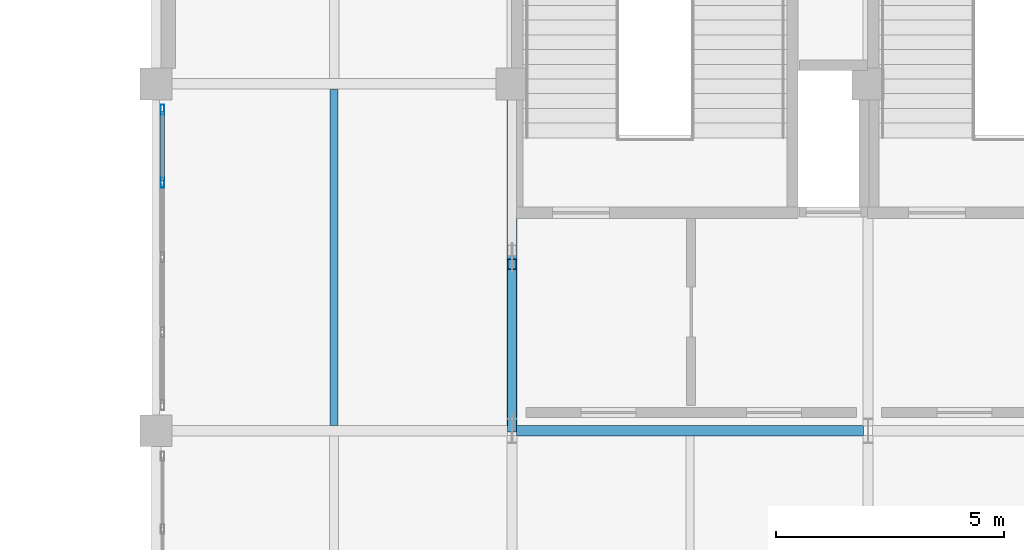
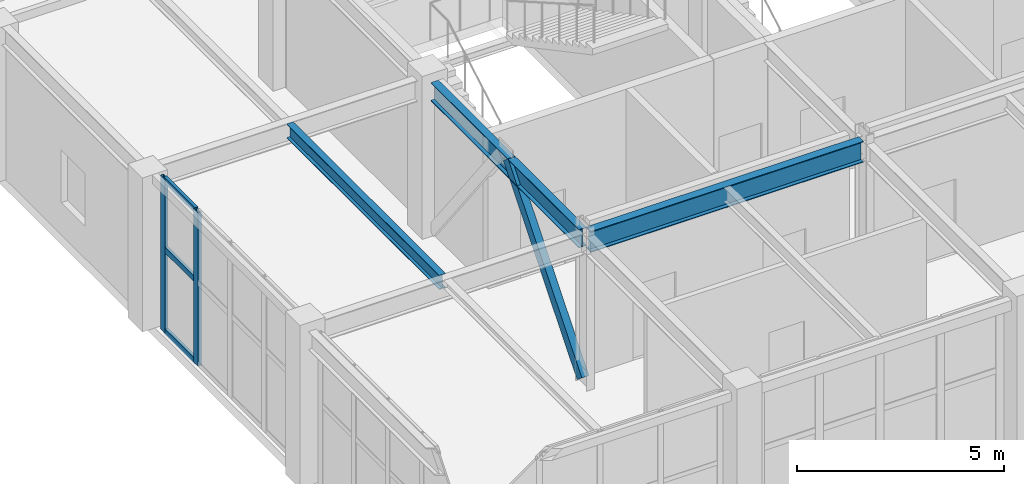
# One storey, part 45 of 72: 6 members, 3 beams, 1 element without a shape of its own.
"""IFC4 building model written with IfcOpenShell, lengths in metres."""

from ifc_helpers import new_model, si_unit, direction, frame, origin, origin_2d, place, context, subcontext, project, spatial, hollow_rectangle, i_section, extrude, material, layer, layer_set, material_profile, profile_set, type_object, element, aggregate, save


model = new_model("IFC4")

# Units and contexts
model_context = context("Model", 3, precision=1e-05, world=origin(), true_north=direction((0.0, 1.0)))
body_context = subcontext(model_context, "Body", "Model", "MODEL_VIEW")
ifc_project = project(units=[si_unit("LENGTHUNIT", "METRE"), si_unit("AREAUNIT", "SQUARE_METRE"), si_unit("VOLUMEUNIT", "CUBIC_METRE"), si_unit("PLANEANGLEUNIT", "RADIAN"), si_unit("MASSUNIT", "GRAM", prefix="KILO")], contexts=[model_context])

# Site, building, storey
site_placement = place(None, origin())
site = spatial("IfcSite", under=ifc_project, at=site_placement, CompositionType="ELEMENT")
building_placement = place(site_placement, origin())
building = spatial("IfcBuilding", under=site, at=building_placement, Name="Xicomal Pleat Aquarium", CompositionType="ELEMENT")
storey_placement = place(building_placement, frame((0.0, 0.0, 10.5)))
storey = spatial("IfcBuildingStorey", under=building, at=storey_placement, Name="L03", CompositionType="ELEMENT", Elevation=10.5)

# Beams
ifc_material_1 = material(Name="Structural steel A992 Gr 50", Category="steel")
ifc_material_profile_1 = material_profile(ifc_material_1, i_section(OverallWidth=0.180908203125, OverallDepth=0.4169921875, WebThickness=0.010986328125, FlangeThickness=0.018310546875, at=origin_2d()), Name="IR 410x85")
ifc_profile_set_1 = profile_set([ifc_material_profile_1], Name="Structural steel A992 Gr 50")
beam_type_1 = type_object("IfcBeamType", Name="BM-STL-IR410", PredefinedType="JOIST", material=ifc_profile_set_1)
beam_1_placement = place(storey_placement, frame((137.699951171875, 83.718017578125, 4.33154296875), z_axis=(0.0, 1.0, 0.0), x_axis=(-1.0, 0.0, 0.0)))
element("IfcBeam", 1, at=beam_1_placement, inside=storey, type_object=beam_type_1, Name="L03 framing beam FBJ-L03-17-M-1", PredefinedType="JOIST", context=body_context, shape_type="SweptSolid", body=[
    extrude(i_section(OverallWidth=0.180908203125, OverallDepth=0.4169921875, WebThickness=0.010986328125, FlangeThickness=0.018310546875, at=origin_2d()), origin(), (0.0, 0.0, 1.0), 7.364013671875),
])
ifc_material_2 = material(Name="Structural steel A992 Gr 50", Category="steel")
ifc_material_profile_2 = material_profile(ifc_material_2, i_section(OverallWidth=0.2119140625, OverallDepth=0.5439453125, WebThickness=0.01318359375, FlangeThickness=0.021240234375, at=origin_2d()), Name="IR 530x123")
ifc_profile_set_2 = profile_set([ifc_material_profile_2], Name="Structural steel A992 Gr 50")
beam_type_2 = type_object("IfcBeamType", Name="BM-STL-IR530", PredefinedType="BEAM", material=ifc_profile_set_2)
beam_2_placement = place(storey_placement, frame((141.60009765625, 83.700927734375, 4.26806640625), z_axis=(0.0, 1.0, 0.0), x_axis=(-1.0, 0.0, 0.0)))
element("IfcBeam", 2, at=beam_2_placement, inside=storey, type_object=beam_type_2, Name="L03 framing beam FGY-L03-18-M-N", PredefinedType="BEAM", context=body_context, shape_type="SweptSolid", body=[
    extrude(i_section(OverallWidth=0.2119140625, OverallDepth=0.5439453125, WebThickness=0.01318359375, FlangeThickness=0.021240234375, at=origin_2d()), origin(), (0.0, 0.0, 1.0), 7.154052734375),
])
ifc_material_3 = material(Name="Structural steel A992 Gr 50", Category="steel")
ifc_material_profile_3 = material_profile(ifc_material_3, i_section(OverallWidth=0.22998046875, OverallDepth=0.616943359375, WebThickness=0.01318359375, FlangeThickness=0.022216796875, at=origin_2d()), Name="IR 610x140")
ifc_profile_set_3 = profile_set([ifc_material_profile_3], Name="Structural steel A992 Gr 50")
beam_type_3 = type_object("IfcBeamType", Name="BM-STL-IR610", PredefinedType="BEAM", material=ifc_profile_set_3)
beam_3_placement = place(storey_placement, frame((141.700927734375, 83.60009765625, 4.2314453125), z_axis=(1.0, 0.0, 0.0), x_axis=(0.0, 1.0, 0.0)))
element("IfcBeam", 3, at=beam_3_placement, inside=storey, type_object=beam_type_3, Name="L03 framing beam FGX-L03-18-19-M", PredefinedType="BEAM", context=body_context, shape_type="SweptSolid", body=[
    extrude(i_section(OverallWidth=0.22998046875, OverallDepth=0.616943359375, WebThickness=0.01318359375, FlangeThickness=0.022216796875, at=origin_2d()), origin(), (0.0, 0.0, 1.0), 7.59814453125),
])

# Curtain wall, members
ifc_material_4 = material(Name="Bronze anodized aluminium 6063-T6", Category="aluminium")
ifc_layer = layer(ifc_material_4, 0.159912109375)
ifc_layer_set = layer_set([ifc_layer], Name="Bronze anodized aluminium 6063-T6")
curtain_wall_type = type_object("IfcCurtainWallType", Name="CW-SYS-03", PredefinedType="NOTDEFINED", material=ifc_layer_set)
curtain_wall_placement = place(storey_placement, origin())
curtain_wall = element("IfcCurtainWall", 4, at=curtain_wall_placement, inside=storey, type_object=curtain_wall_type, Name="L03 unitised curtain wall CW-L03-155", PredefinedType="NOTDEFINED")
ifc_material_5 = material(Name="Bronze anodized aluminium 6063-T6", Category="aluminium")
ifc_material_profile_4 = material_profile(ifc_material_5, hollow_rectangle(XDim=0.0849609375, YDim=0.219970703125, WallThickness=0.0048828125, at=origin_2d()), Name="ALU MULL 85x220")
ifc_profile_set_4 = profile_set([ifc_material_profile_4], Name="Bronze anodized aluminium 6063-T6")
member_type_1 = type_object("IfcMemberType", Name="CWM-85x220", PredefinedType="MULLION", material=ifc_profile_set_4)
member_1_placement = place(storey_placement, frame((133.93994140625, 89.0400390625, 0.0), z_axis=(0.0, 0.0, 1.0), x_axis=(-1.0, 0.0, 0.0)))
member_1 = element("IfcMember", 5, at=member_1_placement, type_object=member_type_1, Name="CW-03 mullion 4", PredefinedType="MULLION", context=body_context, shape_type="SweptSolid", body=[
    extrude(hollow_rectangle(XDim=0.0849609375, YDim=0.219970703125, WallThickness=0.0048828125, at=origin_2d()), origin(), (0.0, 0.0, 1.0), 4.5400390625),
])
member_2_placement = place(storey_placement, frame((133.93994140625, 90.637451171875, 0.0), z_axis=(0.0, 0.0, 1.0), x_axis=(-1.0, 0.0, 0.0)))
member_2 = element("IfcMember", 6, at=member_2_placement, type_object=member_type_1, Name="CW-03 mullion 5", PredefinedType="MULLION", context=body_context, shape_type="SweptSolid", body=[
    extrude(hollow_rectangle(XDim=0.0849609375, YDim=0.219970703125, WallThickness=0.0048828125, at=origin_2d()), origin(), (0.0, 0.0, 1.0), 4.5400390625),
])
ifc_material_6 = material(Name="Bronze anodized aluminium 6063-T6", Category="aluminium")
ifc_material_profile_5 = material_profile(ifc_material_6, hollow_rectangle(XDim=0.0849609375, YDim=0.169921875, WallThickness=0.0048828125, at=origin_2d()), Name="ALU TRAN 85x170")
ifc_profile_set_5 = profile_set([ifc_material_profile_5], Name="Bronze anodized aluminium 6063-T6")
member_type_2 = type_object("IfcMemberType", Name="CWT-85x170", PredefinedType="USERDEFINED", material=ifc_profile_set_5)
member_3_placement = place(storey_placement, frame((133.93994140625, 89.08251953125, 0.04248046875), z_axis=(0.0, 1.0, 0.0), x_axis=(-1.0, 0.0, 0.0)))
member_3 = element("IfcMember", 7, at=member_3_placement, type_object=member_type_2, Name="CW-03 transom 4.1", ObjectType="TRANSOM", PredefinedType="USERDEFINED", context=body_context, shape_type="SweptSolid", body=[
    extrude(hollow_rectangle(XDim=0.0849609375, YDim=0.169921875, WallThickness=0.0048828125, at=origin_2d()), origin(), (0.0, 0.0, 1.0), 1.512451171875),
])
member_4_placement = place(storey_placement, frame((133.93994140625, 89.08251953125, 2.451904296875), z_axis=(0.0, 1.0, 0.0), x_axis=(-1.0, 0.0, 0.0)))
member_4 = element("IfcMember", 8, at=member_4_placement, type_object=member_type_2, Name="CW-03 transom 4.2", ObjectType="TRANSOM", PredefinedType="USERDEFINED", context=body_context, shape_type="SweptSolid", body=[
    extrude(hollow_rectangle(XDim=0.0849609375, YDim=0.169921875, WallThickness=0.0048828125, at=origin_2d()), origin(), (0.0, 0.0, 1.0), 1.512451171875),
])
member_5_placement = place(storey_placement, frame((133.93994140625, 89.08251953125, 4.49755859375), z_axis=(0.0, 1.0, 0.0), x_axis=(-1.0, 0.0, 0.0)))
member_5 = element("IfcMember", 9, at=member_5_placement, type_object=member_type_2, Name="CW-03 transom 4.3", ObjectType="TRANSOM", PredefinedType="USERDEFINED", context=body_context, shape_type="SweptSolid", body=[
    extrude(hollow_rectangle(XDim=0.0849609375, YDim=0.169921875, WallThickness=0.0048828125, at=origin_2d()), origin(), (0.0, 0.0, 1.0), 1.512451171875),
])
aggregate(curtain_wall, [member_1, member_2, member_3, member_4, member_5])

# Member
ifc_material_7 = material(Name="Structural steel A500 Gr C", Category="steel")
ifc_material_profile_6 = material_profile(ifc_material_7, hollow_rectangle(XDim=0.199951171875, YDim=0.300048828125, WallThickness=0.011962890625, at=origin_2d()), Name="OR 300x200x12")
ifc_profile_set_6 = profile_set([ifc_material_profile_6], Name="Structural steel A500 Gr C")
member_type_3 = type_object("IfcMemberType", Name="MEM-BR-OR300", PredefinedType="BRACE", material=ifc_profile_set_6)
member_6_placement = place(storey_placement, frame((141.60009765625, 83.68603515625, 0.14990234375), z_axis=(0.0, 0.638131161976, 0.769927672002), x_axis=(-1.0, 0.0, 0.0)))
element("IfcMember", 10, at=member_6_placement, inside=storey, type_object=member_type_3, Name="L03 chevron brace 29A", PredefinedType="BRACE", context=body_context, shape_type="SweptSolid", body=[
    extrude(hollow_rectangle(XDim=0.199951171875, YDim=0.300048828125, WallThickness=0.011962890625, at=origin_2d()), origin(), (0.0, 0.0, 1.0), 5.5849609375),
])

save(model, "model.ifc")
